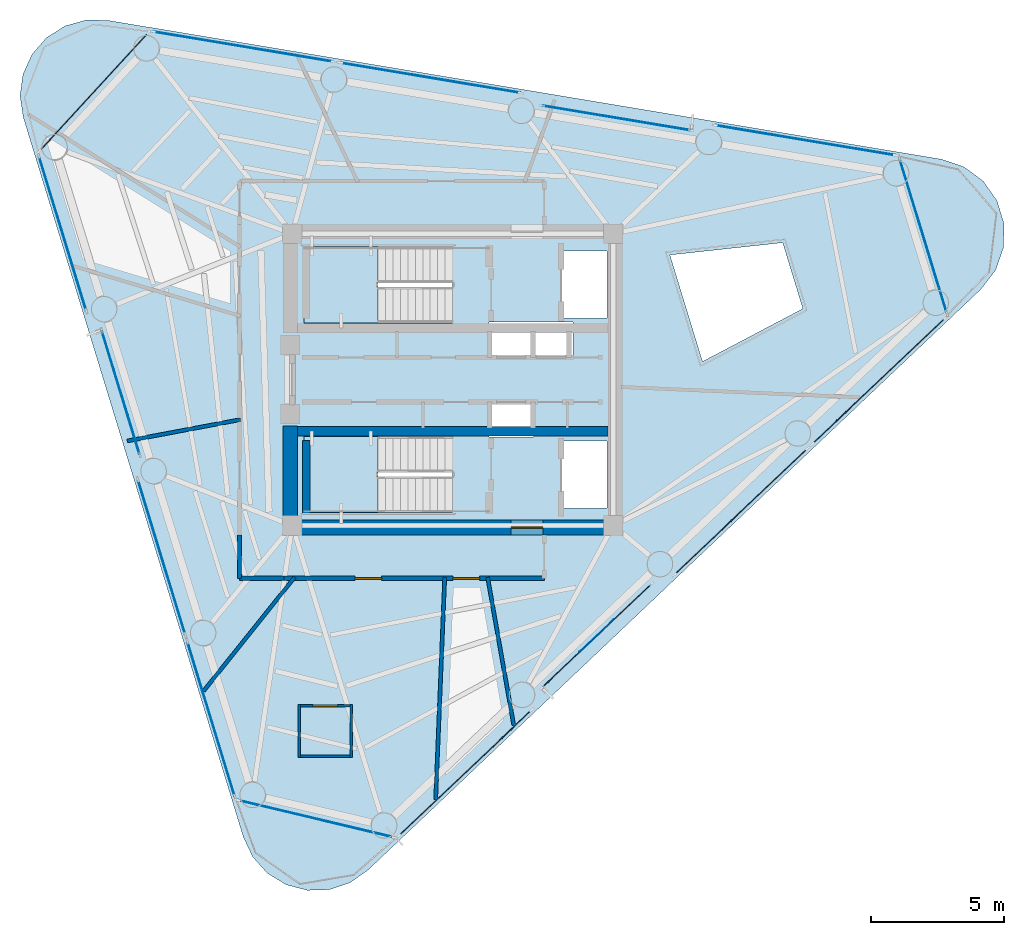
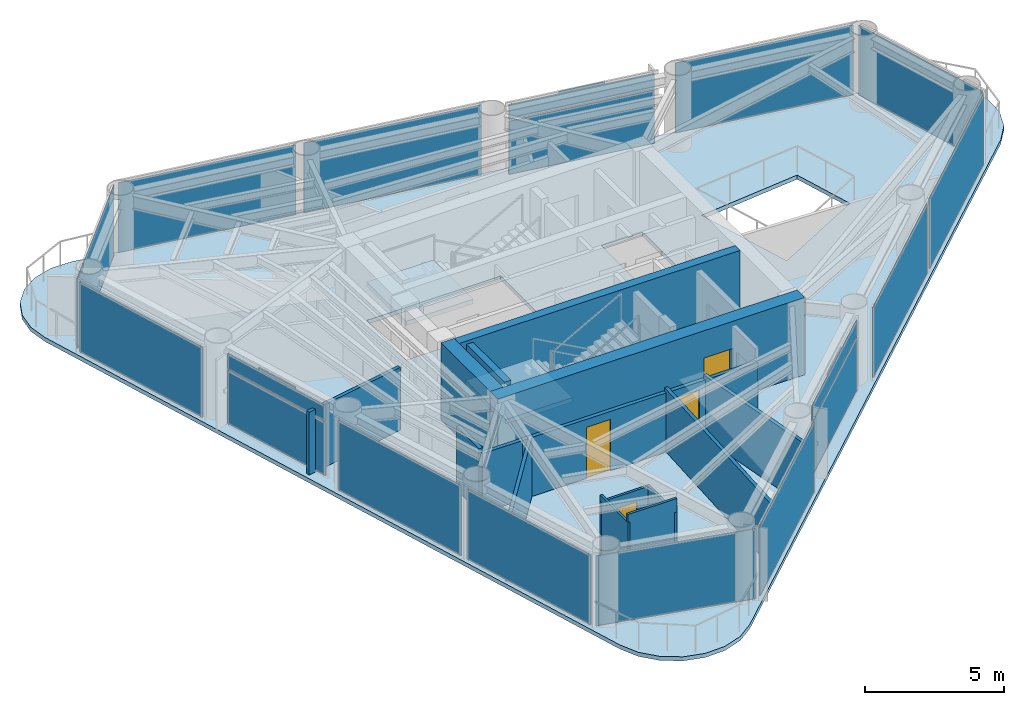
# One storey, part 4 of 9: 21 plates, 15 walls, 4 doors, 3 slabs, 4 openings, 17 elements without a shape of their own.
"""IFC4 building model written with IfcOpenShell, lengths in metres."""

from ifc_helpers import new_model, si_unit, direction, frame, frame_2d, origin, origin_2d, place, context, subcontext, project, spatial, polyline, rectangle, outline, extrude, source, transform, mapped, material, layer, layer_set, type_object, element, fill, aggregate, save


model = new_model("IFC4")

# Units and contexts
model_context = context("Model", 3, precision=1e-05, world=origin(), true_north=direction((0.0, 1.0)))
body_context = subcontext(model_context, "Body", "Model", "MODEL_VIEW")
ifc_project = project(units=[si_unit("LENGTHUNIT", "METRE"), si_unit("AREAUNIT", "SQUARE_METRE"), si_unit("VOLUMEUNIT", "CUBIC_METRE"), si_unit("PLANEANGLEUNIT", "RADIAN"), si_unit("MASSUNIT", "GRAM", prefix="KILO")], contexts=[model_context])

# Site, building, storey
site_placement = place(None, origin())
site = spatial("IfcSite", under=ifc_project, at=site_placement, CompositionType="ELEMENT")
building_placement = place(site_placement, origin())
building = spatial("IfcBuilding", under=site, at=building_placement, Name="Yunling Apex Tower", CompositionType="ELEMENT")
storey_placement = place(building_placement, frame((0.0, 0.0, 245.64990234375)))
storey = spatial("IfcBuildingStorey", under=building, at=storey_placement, Name="L60", CompositionType="ELEMENT", Elevation=245.64990234375)

# Slab
ifc_material_1 = material(Name="Concrete C40", Category="concrete")
ifc_layer_1 = layer(ifc_material_1, 0.155029296875)
ifc_layer_set_1 = layer_set([ifc_layer_1], Name="Concrete C40")
slab_type_1 = type_object("IfcSlabType", Name="SL-FLR-3", PredefinedType="FLOOR", material=ifc_layer_set_1)
slab_1_placement = place(storey_placement, frame((0.0, 0.0, -0.179931640625)))
element("IfcSlab", 1, at=slab_1_placement, inside=storey, type_object=slab_type_1, Name="L60 Composite Tower Floor Slab", PredefinedType="FLOOR", context=body_context, shape_type="SweptSolid", body=[
    extrude(outline(polyline([(-7.894287109375, -17.243408203125), (-7.54052734375, -17.991455078125), (-6.9873046875, -18.60693359375), (-6.281005859375, -19.0380859375), (-5.480712890625, -19.249267578125), (-4.65380859375, -19.22216796875), (-3.868896484375, -18.959716796875), (-3.192138671875, -18.483154296875), (19.91064453125, 3.409912109375), (20.459716796875, 4.126220703125), (20.7578125, 4.977783203125), (20.776123046875, 5.880126953125), (20.51220703125, 6.7431640625), (19.99267578125, 7.48095703125), (19.26904296875, 8.02001953125), (18.41357421875, 8.306884765625), (-12.982177734375, 13.538330078125), (-13.8095703125, 13.5546875), (-14.60693359375, 13.33349609375), (-15.307861328125, 12.8935546875), (-15.853271484375, 12.27099609375), (-16.197509765625, 11.5185546875), (-16.31201171875, 10.698974609375), (-16.187255859375, 9.881103515625), (-7.894287109375, -17.243408203125)]), holes=[polyline([(8.18408203125, 4.697998046875), (12.434326171875, 5.160888671875), (13.194580078125, 2.674560546875), (9.412109375, 0.681640625), (8.18408203125, 4.697998046875)]), polyline([(4.090087890625, -2.320068359375), (5.81005859375, -2.320068359375), (5.81005859375, -4.840087890625), (4.090087890625, -4.840087890625), (4.090087890625, -2.320068359375)]), polyline([(4.090087890625, 4.840087890625), (5.81005859375, 4.840087890625), (5.81005859375, 2.320068359375), (4.090087890625, 2.320068359375), (4.090087890625, 4.840087890625)]), polyline([(1.364990234375, 0.794921875), (1.364990234375, 2.1650390625), (4.534912109375, 2.1650390625), (4.534912109375, 0.794921875), (1.364990234375, 0.794921875)]), polyline([(1.364990234375, -0.794921875), (3.034912109375, -0.794921875), (3.034912109375, -2.1650390625), (1.364990234375, -2.1650390625), (1.364990234375, -0.794921875)]), polyline([(-0.010009765625, -5.010009765625), (-5.60009765625, -5.010009765625), (-5.60009765625, -2.139892578125), (-0.010009765625, -2.139892578125), (-0.010009765625, -5.010009765625)]), polyline([(-0.010009765625, 2.139892578125), (-5.60009765625, 2.139892578125), (-5.60009765625, 5.010009765625), (-0.010009765625, 5.010009765625), (-0.010009765625, 2.139892578125)])]), origin(), (0.0, 0.0, 1.0), 0.179931640625),
])

# Stair, slab
stair_type = type_object("IfcStairType", Name="ST-TWR-3", PredefinedType="HALF_TURN_STAIR", material=ifc_material_1)
stair_1_placement = place(storey_placement, origin())
stair_1 = element("IfcStair", 2, at=stair_1_placement, inside=storey, type_object=stair_type, Name="L60 North Core Smokeproof Exit Stair ST-1", PredefinedType="HALF_TURN_STAIR")
ifc_layer_2 = layer(ifc_material_1, 0.195068359375)
ifc_layer_set_2 = layer_set([ifc_layer_2], Name="Concrete C40")
slab_type_2 = type_object("IfcSlabType", Name="SL-LND-1", PredefinedType="LANDING", material=ifc_layer_set_2)
slab_2_placement = place(storey_placement, frame((0.0, 0.0, 1.505126953125)))
slab_2 = element("IfcSlab", 3, at=slab_2_placement, type_object=slab_type_2, Name="ST-1 landing 1", PredefinedType="LANDING", context=body_context, shape_type="SweptSolid", body=[
    extrude(outline(polyline([(-2.81005859375, 5.010009765625), (-5.60009765625, 5.010009765625), (-5.60009765625, 2.139892578125), (-2.81005859375, 2.139892578125), (-2.81005859375, 5.010009765625)])), origin(), (0.0, 0.0, 1.0), 0.195068359375),
])
aggregate(stair_1, [slab_2])

stair_2_placement = place(storey_placement, origin())
stair_2 = element("IfcStair", 4, at=stair_2_placement, inside=storey, type_object=stair_type, Name="L60 South Core Smokeproof Exit Stair ST-2", PredefinedType="HALF_TURN_STAIR")
slab_3_placement = place(storey_placement, frame((0.0, 0.0, 1.505126953125)))
slab_3 = element("IfcSlab", 5, at=slab_3_placement, type_object=slab_type_2, Name="ST-2 landing 1", PredefinedType="LANDING", context=body_context, shape_type="SweptSolid", body=[
    extrude(outline(polyline([(-2.81005859375, -2.139892578125), (-5.60009765625, -2.139892578125), (-5.60009765625, -5.010009765625), (-2.81005859375, -5.010009765625), (-2.81005859375, -2.139892578125)])), origin(), (0.0, 0.0, 1.0), 0.195068359375),
])
aggregate(stair_2, [slab_3])

# Plates
ifc_material_2 = material(Name="Bronze anodised aluminium", Category="aluminium")
ifc_layer_3 = layer(ifc_material_2, 0.011962890625)
ifc_layer_set_3 = layer_set([ifc_layer_3], Name="Bronze anodised aluminium")
plate_type_1 = type_object("IfcPlateType", Name="SP-SHT-1", PredefinedType="SHEET", material=ifc_layer_set_3)
shared_shape_1 = source(origin(), body_context, "Body", "SweptSolid", [
    extrude(rectangle(XDim=1.800048828125, YDim=0.02392578125, at=origin_2d()), origin(), (0.0, 0.0, 1.0), 0.43994140625),
])
for number, where, z_axis, x_axis, name in (
    (6, (5.429931640625, -9.651123046875, 2.820068359375), (0.0, 0.0, 1.0), (0.725854756355, 0.687848001144, 0.0), "SP-GRV-L60-F1"),
    (7, (6.168701171875, 9.860595703125, 2.820068359375), (0.0, 0.0, 1.0), (-0.986400586142, 0.164359008451, 0.0), "SP-GRV-L60-F2"),
    (8, (-12.5146484375, -0.489501953125, 2.820068359375), (0.0, 0.0, 1.0), (0.292371704723, -0.956304755963, 0.0), "SP-GRV-L60-F3"),
):
    element("IfcPlate", number, at=place(storey_placement, frame(where, z_axis=z_axis, x_axis=x_axis)), inside=storey, type_object=plate_type_1, Name=name, PredefinedType="SHEET", context=body_context, shape_type="MappedRepresentation", body=[
        mapped(shared_shape_1, transform((0.0, 0.0, 0.0), scale=1.0)),
    ])

# Curtain wall, plate
ifc_layer_4 = layer(ifc_material_2, 0.219970703125)
ifc_layer_set_4 = layer_set([ifc_layer_4], Name="Bronze anodised aluminium")
curtain_wall_type = type_object("IfcCurtainWallType", Name="CW-SYS-4", PredefinedType="NOTDEFINED", material=ifc_layer_set_4)
curtain_wall_1_placement = place(storey_placement, origin())
curtain_wall_1 = element("IfcCurtainWall", 9, at=curtain_wall_1_placement, inside=storey, type_object=curtain_wall_type, Name="CW-L60-F1-B2", PredefinedType="NOTDEFINED")
ifc_material_3 = material(Name="Bronze tinted low-E glass", Category="glass")
ifc_layer_5 = layer(ifc_material_3, 0.030029296875)
ifc_layer_set_5 = layer_set([ifc_layer_5], Name="Bronze tinted low-E glass")
plate_type_2 = type_object("IfcPlateType", Name="CW-PNL-4", PredefinedType="CURTAIN_PANEL", material=ifc_layer_set_5)
shared_shape_2 = source(origin(), body_context, "Body", "SweptSolid", [
    extrude(rectangle(XDim=5.617431640625, YDim=0.030029296875, at=origin_2d()), origin(), (0.0, 0.0, 1.0), 2.34326171875),
])
plate_1_placement = place(storey_placement, frame((5.429931640625, -9.651123046875, 0.072021484375), z_axis=(0.0, 0.0, 1.0), x_axis=(0.725848686167, 0.687854406681, 0.0)))
plate_1 = element("IfcPlate", 10, at=plate_1_placement, type_object=plate_type_2, Name="CW-SYS-4 panel 1.1", PredefinedType="CURTAIN_PANEL", context=body_context, shape_type="MappedRepresentation", body=[
    mapped(shared_shape_2, transform((0.0, 0.0, 0.0), scale=1.0)),
])

curtain_wall_2_placement = place(storey_placement, origin())
curtain_wall_2 = element("IfcCurtainWall", 11, at=curtain_wall_2_placement, inside=storey, type_object=curtain_wall_type, Name="CW-L60-F2-B2", PredefinedType="NOTDEFINED")
plate_2_placement = place(storey_placement, frame((6.168701171875, 9.860595703125, 0.072021484375), z_axis=(0.0, 0.0, 1.0), x_axis=(-0.986398614513, 0.164370840747, 0.0)))
plate_2 = element("IfcPlate", 12, at=plate_2_placement, type_object=plate_type_2, Name="CW-SYS-4 panel 1.1", PredefinedType="CURTAIN_PANEL", context=body_context, shape_type="MappedRepresentation", body=[
    mapped(shared_shape_2, transform((0.0, 0.0, 0.0), scale=1.0)),
])

# Plate
shared_shape_3 = source(origin(), body_context, "Body", "SweptSolid", [
    extrude(rectangle(XDim=5.617431640625, YDim=0.030029296875, at=origin_2d()), origin(), (0.0, 0.0, 1.0), 0.668701171875),
])
plate_3_placement = place(storey_placement, frame((5.429931640625, -9.651123046875, 2.4794921875), z_axis=(0.0, 0.0, 1.0), x_axis=(0.725848686167, 0.687854406681, 0.0)))
plate_3 = element("IfcPlate", 13, at=plate_3_placement, type_object=plate_type_2, Name="CW-SYS-4 panel 1.2", PredefinedType="CURTAIN_PANEL", context=body_context, shape_type="MappedRepresentation", body=[
    mapped(shared_shape_3, transform((0.0, 0.0, 0.0), scale=1.0)),
])

aggregate(curtain_wall_1, [plate_1, plate_3])

plate_4_placement = place(storey_placement, frame((6.168701171875, 9.860595703125, 2.4794921875), z_axis=(0.0, 0.0, 1.0), x_axis=(-0.986398614513, 0.164370840747, 0.0)))
plate_4 = element("IfcPlate", 14, at=plate_4_placement, type_object=plate_type_2, Name="CW-SYS-4 panel 1.2", PredefinedType="CURTAIN_PANEL", context=body_context, shape_type="MappedRepresentation", body=[
    mapped(shared_shape_3, transform((0.0, 0.0, 0.0), scale=1.0)),
])

aggregate(curtain_wall_2, [plate_2, plate_4])

# Curtain wall, plate
curtain_wall_3_placement = place(storey_placement, origin())
curtain_wall_3 = element("IfcCurtainWall", 15, at=curtain_wall_3_placement, inside=storey, type_object=curtain_wall_type, Name="CW-L60-F1-B1", PredefinedType="NOTDEFINED")
shared_shape_4 = source(origin(), body_context, "Body", "SweptSolid", [
    extrude(rectangle(XDim=6.857421875, YDim=0.030029296875, at=origin_2d()), origin(), (0.0, 0.0, 1.0), 3.075927734375),
])
plate_5_placement = place(storey_placement, frame((0.4658203125, -14.823974609375, 0.072265625), z_axis=(0.0, 0.0, 1.0), x_axis=(0.72585471909, 0.687848040467, 0.0)))
plate_5 = element("IfcPlate", 16, at=plate_5_placement, type_object=plate_type_2, Name="CW-SYS-4 panel 1.1", PredefinedType="CURTAIN_PANEL", context=body_context, shape_type="MappedRepresentation", body=[
    mapped(shared_shape_4, transform((0.0, 0.0, 0.0), scale=1.0)),
])
aggregate(curtain_wall_3, [plate_5])

curtain_wall_4_placement = place(storey_placement, origin())
curtain_wall_4 = element("IfcCurtainWall", 17, at=curtain_wall_4_placement, inside=storey, type_object=curtain_wall_type, Name="CW-L60-F1-B3", PredefinedType="NOTDEFINED")
plate_6_placement = place(storey_placement, frame((10.862060546875, -4.97216796875, 0.072265625), z_axis=(0.0, 0.0, 1.0), x_axis=(0.72585471909, 0.687848040467, 0.0)))
plate_6 = element("IfcPlate", 18, at=plate_6_placement, type_object=plate_type_2, Name="CW-SYS-4 panel 1.1", PredefinedType="CURTAIN_PANEL", context=body_context, shape_type="MappedRepresentation", body=[
    mapped(shared_shape_4, transform((0.0, 0.0, 0.0), scale=1.0)),
])
aggregate(curtain_wall_4, [plate_6])

curtain_wall_5_placement = place(storey_placement, origin())
curtain_wall_5 = element("IfcCurtainWall", 19, at=curtain_wall_5_placement, inside=storey, type_object=curtain_wall_type, Name="CW-L60-F1-B4", PredefinedType="NOTDEFINED")
plate_7_placement = place(storey_placement, frame((16.060302734375, -0.046142578125, 0.072265625), z_axis=(0.0, 0.0, 1.0), x_axis=(0.72585471909, 0.687848040467, 0.0)))
plate_7 = element("IfcPlate", 20, at=plate_7_placement, type_object=plate_type_2, Name="CW-SYS-4 panel 1.1", PredefinedType="CURTAIN_PANEL", context=body_context, shape_type="MappedRepresentation", body=[
    mapped(shared_shape_4, transform((0.0, 0.0, 0.0), scale=1.0)),
])
aggregate(curtain_wall_5, [plate_7])

curtain_wall_6_placement = place(storey_placement, origin())
curtain_wall_6 = element("IfcCurtainWall", 21, at=curtain_wall_6_placement, inside=storey, type_object=curtain_wall_type, Name="CW-L60-F2-B1", PredefinedType="NOTDEFINED")
plate_8_placement = place(storey_placement, frame((13.288818359375, 9.01904296875, 0.072265625), z_axis=(0.0, 0.0, 1.0), x_axis=(-0.9864016432, 0.164352664392, 0.0)))
plate_8 = element("IfcPlate", 22, at=plate_8_placement, type_object=plate_type_2, Name="CW-SYS-4 panel 1.1", PredefinedType="CURTAIN_PANEL", context=body_context, shape_type="MappedRepresentation", body=[
    mapped(shared_shape_4, transform((0.0, 0.0, 0.0), scale=1.0)),
])
aggregate(curtain_wall_6, [plate_8])

curtain_wall_7_placement = place(storey_placement, origin())
curtain_wall_7 = element("IfcCurtainWall", 23, at=curtain_wall_7_placement, inside=storey, type_object=curtain_wall_type, Name="CW-L60-F2-B3", PredefinedType="NOTDEFINED")
plate_9_placement = place(storey_placement, frame((-0.83935546875, 11.373046875, 0.072265625), z_axis=(0.0, 0.0, 1.0), x_axis=(-0.9864016432, 0.164352664392, 0.0)))
plate_9 = element("IfcPlate", 24, at=plate_9_placement, type_object=plate_type_2, Name="CW-SYS-4 panel 1.1", PredefinedType="CURTAIN_PANEL", context=body_context, shape_type="MappedRepresentation", body=[
    mapped(shared_shape_4, transform((0.0, 0.0, 0.0), scale=1.0)),
])
aggregate(curtain_wall_7, [plate_9])

curtain_wall_8_placement = place(storey_placement, origin())
curtain_wall_8 = element("IfcCurtainWall", 25, at=curtain_wall_8_placement, inside=storey, type_object=curtain_wall_type, Name="CW-L60-F2-B4", PredefinedType="NOTDEFINED")
plate_10_placement = place(storey_placement, frame((-7.9033203125, 12.550048828125, 0.072265625), z_axis=(0.0, 0.0, 1.0), x_axis=(-0.9864016432, 0.164352664392, 0.0)))
plate_10 = element("IfcPlate", 26, at=plate_10_placement, type_object=plate_type_2, Name="CW-SYS-4 panel 1.1", PredefinedType="CURTAIN_PANEL", context=body_context, shape_type="MappedRepresentation", body=[
    mapped(shared_shape_4, transform((0.0, 0.0, 0.0), scale=1.0)),
])
aggregate(curtain_wall_8, [plate_10])

curtain_wall_9_placement = place(storey_placement, origin())
curtain_wall_9 = element("IfcCurtainWall", 27, at=curtain_wall_9_placement, inside=storey, type_object=curtain_wall_type, Name="CW-L60-CRN1", PredefinedType="NOTDEFINED")
shared_shape_5 = source(origin(), body_context, "Body", "SweptSolid", [
    extrude(rectangle(XDim=6.108642578125, YDim=0.030029296875, at=origin_2d()), origin(), (0.0, 0.0, 1.0), 3.075927734375),
])
plate_11_placement = place(storey_placement, frame((17.7314453125, 5.421142578125, 0.072265625), z_axis=(0.0, 0.0, 1.0), x_axis=(-0.292369275379, 0.956305498685, 0.0)))
plate_11 = element("IfcPlate", 28, at=plate_11_placement, type_object=plate_type_2, Name="CW-SYS-4 panel 1.1", PredefinedType="CURTAIN_PANEL", context=body_context, shape_type="MappedRepresentation", body=[
    mapped(shared_shape_5, transform((0.0, 0.0, 0.0), scale=1.0)),
])
aggregate(curtain_wall_9, [plate_11])

curtain_wall_10_placement = place(storey_placement, origin())
curtain_wall_10 = element("IfcCurtainWall", 29, at=curtain_wall_10_placement, inside=storey, type_object=curtain_wall_type, Name="CW-L60-CRN2", PredefinedType="NOTDEFINED")
shared_shape_6 = source(origin(), body_context, "Body", "SweptSolid", [
    extrude(rectangle(XDim=6.033203125, YDim=0.030029296875, at=origin_2d()), origin(), (0.0, 0.0, 1.0), 3.075927734375),
])
plate_12_placement = place(storey_placement, frame((-13.529052734375, 10.84521484375, 0.072265625), z_axis=(0.0, 0.0, 1.0), x_axis=(-0.676835909266, -0.736133922549, 0.0)))
plate_12 = element("IfcPlate", 30, at=plate_12_placement, type_object=plate_type_2, Name="CW-SYS-4 panel 1.1", PredefinedType="CURTAIN_PANEL", context=body_context, shape_type="MappedRepresentation", body=[
    mapped(shared_shape_6, transform((0.0, 0.0, 0.0), scale=1.0)),
])
aggregate(curtain_wall_10, [plate_12])

curtain_wall_11_placement = place(storey_placement, origin())
curtain_wall_11 = element("IfcCurtainWall", 31, at=curtain_wall_11_placement, inside=storey, type_object=curtain_wall_type, Name="CW-L60-F3-B1", PredefinedType="NOTDEFINED")
shared_shape_7 = source(origin(), body_context, "Body", "SweptSolid", [
    extrude(rectangle(XDim=6.077880859375, YDim=0.030029296875, at=origin_2d()), origin(), (0.0, 0.0, 1.0), 3.075927734375),
])
plate_13_placement = place(storey_placement, frame((-14.705810546875, 5.51416015625, 0.072265625), z_axis=(0.0, 0.0, 1.0), x_axis=(0.29237206414, -0.956304646078, 0.0)))
plate_13 = element("IfcPlate", 32, at=plate_13_placement, type_object=plate_type_2, Name="CW-SYS-4 panel 1.1", PredefinedType="CURTAIN_PANEL", context=body_context, shape_type="MappedRepresentation", body=[
    mapped(shared_shape_7, transform((0.0, 0.0, 0.0), scale=1.0)),
])
aggregate(curtain_wall_11, [plate_13])

curtain_wall_12_placement = place(storey_placement, origin())
curtain_wall_12 = element("IfcCurtainWall", 33, at=curtain_wall_12_placement, inside=storey, type_object=curtain_wall_type, Name="CW-L60-F3-B3", PredefinedType="NOTDEFINED")
plate_14_placement = place(storey_placement, frame((-10.973876953125, -6.69189453125, 0.072265625), z_axis=(0.0, 0.0, 1.0), x_axis=(0.29237206414, -0.956304646078, 0.0)))
plate_14 = element("IfcPlate", 34, at=plate_14_placement, type_object=plate_type_2, Name="CW-SYS-4 panel 1.1", PredefinedType="CURTAIN_PANEL", context=body_context, shape_type="MappedRepresentation", body=[
    mapped(shared_shape_7, transform((0.0, 0.0, 0.0), scale=1.0)),
])
aggregate(curtain_wall_12, [plate_14])

curtain_wall_13_placement = place(storey_placement, origin())
curtain_wall_13 = element("IfcCurtainWall", 35, at=curtain_wall_13_placement, inside=storey, type_object=curtain_wall_type, Name="CW-L60-F3-B4", PredefinedType="NOTDEFINED")
plate_15_placement = place(storey_placement, frame((-9.108154296875, -12.794921875, 0.072265625), z_axis=(0.0, 0.0, 1.0), x_axis=(0.29237206414, -0.956304646078, 0.0)))
plate_15 = element("IfcPlate", 36, at=plate_15_placement, type_object=plate_type_2, Name="CW-SYS-4 panel 1.1", PredefinedType="CURTAIN_PANEL", context=body_context, shape_type="MappedRepresentation", body=[
    mapped(shared_shape_7, transform((0.0, 0.0, 0.0), scale=1.0)),
])
aggregate(curtain_wall_13, [plate_15])

# Curtain wall, plates
curtain_wall_14_placement = place(storey_placement, origin())
curtain_wall_14 = element("IfcCurtainWall", 37, at=curtain_wall_14_placement, inside=storey, type_object=curtain_wall_type, Name="CW-L60-F3-B2", PredefinedType="NOTDEFINED")
shared_shape_8 = source(origin(), body_context, "Body", "SweptSolid", [
    extrude(rectangle(XDim=4.837890625, YDim=0.030029296875, at=origin_2d()), origin(), (0.0, 0.0, 1.0), 2.34326171875),
])
plate_16_placement = place(storey_placement, frame((-12.5146484375, -0.489501953125, 0.072021484375), z_axis=(0.0, 0.0, 1.0), x_axis=(0.29237304737, -0.956304345474, 0.0)))
plate_16 = element("IfcPlate", 38, at=plate_16_placement, type_object=plate_type_2, Name="CW-SYS-4 panel 1.1", PredefinedType="CURTAIN_PANEL", context=body_context, shape_type="MappedRepresentation", body=[
    mapped(shared_shape_8, transform((0.0, 0.0, 0.0), scale=1.0)),
])
shared_shape_9 = source(origin(), body_context, "Body", "SweptSolid", [
    extrude(rectangle(XDim=4.837890625, YDim=0.030029296875, at=origin_2d()), origin(), (0.0, 0.0, 1.0), 0.668701171875),
])
plate_17_placement = place(storey_placement, frame((-12.5146484375, -0.489501953125, 2.4794921875), z_axis=(0.0, 0.0, 1.0), x_axis=(0.29237304737, -0.956304345474, 0.0)))
plate_17 = element("IfcPlate", 39, at=plate_17_placement, type_object=plate_type_2, Name="CW-SYS-4 panel 1.2", PredefinedType="CURTAIN_PANEL", context=body_context, shape_type="MappedRepresentation", body=[
    mapped(shared_shape_9, transform((0.0, 0.0, 0.0), scale=1.0)),
])
aggregate(curtain_wall_14, [plate_16, plate_17])

# Curtain wall, plate
curtain_wall_15_placement = place(storey_placement, origin())
curtain_wall_15 = element("IfcCurtainWall", 40, at=curtain_wall_15_placement, inside=storey, type_object=curtain_wall_type, Name="CW-L60-CRN3", PredefinedType="NOTDEFINED")
shared_shape_10 = source(origin(), body_context, "Body", "SweptSolid", [
    extrude(rectangle(XDim=6.032958984375, YDim=0.030029296875, at=origin_2d()), origin(), (0.0, 0.0, 1.0), 3.075927734375),
])
plate_18_placement = place(storey_placement, frame((-5.151611328125, -16.556396484375, 0.072265625), z_axis=(0.0, 0.0, 1.0), x_axis=(0.97276120775, -0.231809474992, 0.0)))
plate_18 = element("IfcPlate", 41, at=plate_18_placement, type_object=plate_type_2, Name="CW-SYS-4 panel 1.1", PredefinedType="CURTAIN_PANEL", context=body_context, shape_type="MappedRepresentation", body=[
    mapped(shared_shape_10, transform((0.0, 0.0, 0.0), scale=1.0)),
])
aggregate(curtain_wall_15, [plate_18])

# Wall, opening, door
ifc_layer_6 = layer(ifc_material_1, 0.550048828125)
ifc_layer_set_6 = layer_set([ifc_layer_6], Name="Concrete C40")
wall_type_1 = type_object("IfcWallType", Name="WL-COR-3", PredefinedType="SHEAR", material=ifc_layer_set_6)
wall_1_placement = place(storey_placement, frame((-6.39990234375, -5.574951171875, 0.0), z_axis=(0.0, 0.0, 1.0), x_axis=(1.0, 0.0, 0.0)))
wall_1 = element("IfcWall", 42, at=wall_1_placement, inside=storey, type_object=wall_type_1, Name="L60 South Core Shear Wall", PredefinedType="SHEAR", context=body_context, shape_type="SweptSolid", body=[
    extrude(rectangle(XDim=12.7998046875, YDim=0.550048828125, at=frame_2d((6.39990234375, 0.0))), origin(), (0.0, 0.0, 1.0), 3.400146484375),
])
opening_1_placement = place(wall_1_placement, frame((8.60009765625, 0.0, 0.0)))
opening_1 = element("IfcOpeningElement", 43, at=opening_1_placement, cuts=wall_1, Name="Opening DR-FFL-1", PredefinedType="OPENING", context=body_context, shape_type="SweptSolid", body=[
    extrude(rectangle(XDim=1.199951171875, YDim=2.199951171875, at=frame_2d((0.60009765625, 1.10009765625))), frame((0.0, 0.28515625, 0.0), z_axis=(0.0, -1.0, 0.0), x_axis=(1.0, 0.0, 0.0)), (0.0, 0.0, 1.0), 0.570068359375),
])
ifc_material_4 = material(Name="Steel Q355B", Category="steel")
door_type_1 = type_object("IfcDoorType", Name="DR-FFL-1", OperationType="NOTDEFINED", PredefinedType="DOOR", material=ifc_material_4)
door_1_placement = place(opening_1_placement, origin())
door_1 = element("IfcDoor", 44, at=door_1_placement, inside=storey, type_object=door_type_1, Name="L60 South Firefighting Lobby Door", OperationType="SINGLE_SWING_RIGHT", OverallHeight=2.199951171875, OverallWidth=1.199951171875, PredefinedType="DOOR", context=body_context, shape_type="SweptSolid", body=[
    extrude(rectangle(XDim=1.199951171875, YDim=2.199951171875, at=frame_2d((0.60009765625, 1.10009765625))), frame((0.0, 0.02490234375, 0.0), z_axis=(0.0, -1.0, 0.0), x_axis=(1.0, 0.0, 0.0)), (0.0, 0.0, 1.0), 0.050048828125),
])
fill(opening_1, door_1)

# Walls
wall_2_placement = place(storey_placement, frame((-6.125, -5.300048828125, 0.0), z_axis=(0.0, 0.0, 1.0), x_axis=(0.0, 1.0, 0.0)))
element("IfcWall", 45, at=wall_2_placement, inside=storey, type_object=wall_type_1, Name="L60 West-South Core Shear Wall", PredefinedType="SHEAR", context=body_context, shape_type="SweptSolid", body=[
    extrude(rectangle(XDim=3.550048828125, YDim=0.550048828125, at=frame_2d((1.77490234375, 0.0))), origin(), (0.0, 0.0, 1.0), 3.400146484375),
])
ifc_layer_7 = layer(ifc_material_1, 0.360107421875)
ifc_layer_set_7 = layer_set([ifc_layer_7], Name="Concrete C40")
wall_type_2 = type_object("IfcWallType", Name="WL-COR-4", PredefinedType="SHEAR", material=ifc_layer_set_7)
wall_3_placement = place(storey_placement, frame((-5.85009765625, -1.93994140625, 0.0), z_axis=(0.0, 0.0, 1.0), x_axis=(1.0, 0.0, 0.0)))
element("IfcWall", 46, at=wall_3_placement, inside=storey, type_object=wall_type_2, Name="L60 South Internal Core Shear Wall", PredefinedType="SHEAR", context=body_context, shape_type="SweptSolid", body=[
    extrude(rectangle(XDim=11.7001953125, YDim=0.360107421875, at=frame_2d((5.85009765625, 0.0))), origin(), (0.0, 0.0, 1.0), 3.400146484375),
])
ifc_layer_8 = layer(ifc_material_1, 0.280029296875)
ifc_layer_set_8 = layer_set([ifc_layer_8], Name="Concrete C40")
wall_type_3 = type_object("IfcWallType", Name="WL-COR-8", PredefinedType="SHEAR", material=ifc_layer_set_8)
wall_4_placement = place(storey_placement, frame((-5.52001953125, -5.050048828125, 0.0), z_axis=(0.0, 0.0, 1.0), x_axis=(0.0, 1.0, 0.0)))
element("IfcWall", 47, at=wall_4_placement, inside=storey, type_object=wall_type_3, Name="L60 ST-2 West Landing Bearing Wall", PredefinedType="SHEAR", context=body_context, shape_type="SweptSolid", body=[
    extrude(rectangle(XDim=2.75, YDim=0.280029296875, at=frame_2d((1.375, 0.0))), origin(), (0.0, 0.0, 1.0), 3.400146484375),
])

# Wall, openings, doors
ifc_material_5 = material(Name="Gypsum board acoustic partition")
ifc_layer_9 = layer(ifc_material_5, 0.159912109375)
ifc_layer_set_9 = layer_set([ifc_layer_9], Name="Gypsum board acoustic partition")
wall_type_4 = type_object("IfcWallType", Name="WL-PRT-1", PredefinedType="PARTITIONING", material=ifc_layer_set_9)
wall_5_placement = place(storey_placement, frame((3.449951171875, -7.489990234375, 0.0), z_axis=(0.0, 0.0, 1.0), x_axis=(-1.0, 0.0, 0.0)))
wall_5 = element("IfcWall", 48, at=wall_5_placement, inside=storey, type_object=wall_type_4, Name="WL-CORR-L60-06", PredefinedType="PARTITIONING", context=body_context, shape_type="SweptSolid", body=[
    extrude(rectangle(XDim=9.81005859375, YDim=0.159912109375, at=frame_2d((4.905029296875, 0.0))), origin(), (0.0, 0.0, 1.0), 2.60498046875),
])
opening_2_placement = place(wall_5_placement, frame((2.437255859375, 0.0, 0.0)))
opening_2 = element("IfcOpeningElement", 49, at=opening_2_placement, cuts=wall_5, Name="Opening DR-OFF-1", PredefinedType="OPENING", context=body_context, shape_type="SweptSolid", body=[
    extrude(rectangle(XDim=1.0, YDim=2.25, at=frame_2d((0.5, 1.125))), frame((0.0, 0.08984375, 0.0), z_axis=(0.0, -1.0, 0.0), x_axis=(1.0, 0.0, 0.0)), (0.0, 0.0, 1.0), 0.179931640625),
])
opening_3_placement = place(wall_5_placement, frame((6.135009765625, 0.0, 0.0)))
opening_3 = element("IfcOpeningElement", 50, at=opening_3_placement, cuts=wall_5, Name="Opening DR-OFF-1", PredefinedType="OPENING", context=body_context, shape_type="SweptSolid", body=[
    extrude(rectangle(XDim=1.0, YDim=2.25, at=frame_2d((0.5, 1.125))), frame((0.0, 0.08984375, 0.0), z_axis=(0.0, -1.0, 0.0), x_axis=(1.0, 0.0, 0.0)), (0.0, 0.0, 1.0), 0.179931640625),
])
door_type_2 = type_object("IfcDoorType", Name="DR-OFF-1", OperationType="NOTDEFINED", PredefinedType="DOOR", material=ifc_material_2)
door_2_placement = place(opening_2_placement, origin())
door_2 = element("IfcDoor", 51, at=door_2_placement, inside=storey, type_object=door_type_2, Name="L60 Residents Quiet Study Lounge Door", OperationType="SINGLE_SWING_LEFT", OverallHeight=2.25, OverallWidth=1.0, PredefinedType="DOOR", context=body_context, shape_type="SweptSolid", body=[
    extrude(rectangle(XDim=1.0, YDim=2.25, at=frame_2d((0.5, 1.125))), frame((0.0, 0.02490234375, 0.0), z_axis=(0.0, -1.0, 0.0), x_axis=(1.0, 0.0, 0.0)), (0.0, 0.0, 1.0), 0.050048828125),
])
fill(opening_2, door_2)
door_3_placement = place(opening_3_placement, origin())
door_3 = element("IfcDoor", 52, at=door_3_placement, inside=storey, type_object=door_type_2, Name="L60 Concierge Reception Foyer Door", OperationType="SINGLE_SWING_RIGHT", OverallHeight=2.25, OverallWidth=1.0, PredefinedType="DOOR", context=body_context, shape_type="SweptSolid", body=[
    extrude(rectangle(XDim=1.0, YDim=2.25, at=frame_2d((0.5, 1.125))), frame((0.0, 0.02490234375, 0.0), z_axis=(0.0, -1.0, 0.0), x_axis=(1.0, 0.0, 0.0)), (0.0, 0.0, 1.0), 0.050048828125),
])
fill(opening_3, door_3)

# Walls
wall_6_placement = place(storey_placement, frame((-6.360107421875, -7.489990234375, 0.0), z_axis=(0.0, 0.0, 1.0), x_axis=(-1.0, 0.0, 0.0)))
element("IfcWall", 53, at=wall_6_placement, inside=storey, type_object=wall_type_4, Name="WL-CORR-L60-07", PredefinedType="PARTITIONING", context=body_context, shape_type="SweptSolid", body=[
    extrude(rectangle(XDim=1.679931640625, YDim=0.159912109375, at=frame_2d((0.83984375, 0.0))), origin(), (0.0, 0.0, 1.0), 2.60498046875),
])
wall_7_placement = place(storey_placement, frame((-8.0400390625, -7.489990234375, 0.0), z_axis=(0.0, 0.0, 1.0), x_axis=(0.0, 1.0, 0.0)))
element("IfcWall", 54, at=wall_7_placement, inside=storey, type_object=wall_type_4, Name="WL-CORR-L60-08", PredefinedType="PARTITIONING", context=body_context, shape_type="SweptSolid", body=[
    extrude(rectangle(XDim=1.639892578125, YDim=0.159912109375, at=frame_2d((0.81982421875, 0.0))), origin(), (0.0, 0.0, 1.0), 2.80517578125),
])
ifc_layer_10 = layer(ifc_material_5, 0.139892578125)
ifc_layer_set_10 = layer_set([ifc_layer_10], Name="Gypsum board acoustic partition")
wall_type_5 = type_object("IfcWallType", Name="WL-PRT-2", PredefinedType="PARTITIONING", material=ifc_layer_set_10)
wall_8_placement = place(storey_placement, frame((-8.0, -1.5068359375, 0.0), z_axis=(0.0, 0.0, 1.0), x_axis=(-0.982724350189, -0.185075259138, 0.0)))
element("IfcWall", 55, at=wall_8_placement, inside=storey, type_object=wall_type_5, Name="WL-RAD-L60-06", PredefinedType="PARTITIONING", context=body_context, shape_type="SweptSolid", body=[
    extrude(rectangle(XDim=4.3466796875, YDim=0.139892578125, at=frame_2d((2.17333984375, 0.0))), origin(), (0.0, 0.0, 1.0), 2.76513671875),
])
wall_9_placement = place(storey_placement, frame((-5.96142578125, -7.449951171875, 0.0), z_axis=(0.0, 0.0, 1.0), x_axis=(-0.624787267525, -0.780795024535, 0.0)))
element("IfcWall", 56, at=wall_9_placement, inside=storey, type_object=wall_type_5, Name="WL-RAD-L60-07", PredefinedType="PARTITIONING", context=body_context, shape_type="SweptSolid", body=[
    extrude(rectangle(XDim=5.48828125, YDim=0.139892578125, at=frame_2d((2.744140625, 0.0))), origin(), (0.0, 0.0, 1.0), 2.60498046875),
])
wall_10_placement = place(storey_placement, frame((-0.3037109375, -7.449951171875, 0.0), z_axis=(0.0, 0.0, 1.0), x_axis=(-0.04070934235, -0.999171031128, 0.0)))
element("IfcWall", 57, at=wall_10_placement, inside=storey, type_object=wall_type_5, Name="WL-RAD-L60-08", PredefinedType="PARTITIONING", context=body_context, shape_type="SweptSolid", body=[
    extrude(rectangle(XDim=8.3779296875, YDim=0.139892578125, at=frame_2d((4.18896484375, 0.0))), origin(), (0.0, 0.0, 1.0), 2.76513671875),
])
wall_11_placement = place(storey_placement, frame((1.313720703125, -7.449951171875, 0.0), z_axis=(0.0, 0.0, 1.0), x_axis=(0.173652657872, -0.984806963021, 0.0)))
element("IfcWall", 58, at=wall_11_placement, inside=storey, type_object=wall_type_5, Name="WL-RAD-L60-09", PredefinedType="PARTITIONING", context=body_context, shape_type="SweptSolid", body=[
    extrude(rectangle(XDim=5.668701171875, YDim=0.139892578125, at=frame_2d((2.83447265625, 0.0))), origin(), (0.0, 0.0, 1.0), 2.76513671875),
])

# Wall, opening, door
ifc_layer_11 = layer(ifc_material_5, 0.10009765625)
ifc_layer_set_11 = layer_set([ifc_layer_11], Name="Gypsum board acoustic partition")
wall_type_6 = type_object("IfcWallType", Name="WL-PRT-4", PredefinedType="PARTITIONING", material=ifc_layer_set_11)
wall_12_placement = place(storey_placement, frame((-5.8310546875, -12.298095703125, 0.0), z_axis=(0.0, 0.0, 1.0), x_axis=(1.0, 0.0, 0.0)))
wall_12 = element("IfcWall", 59, at=wall_12_placement, inside=storey, type_object=wall_type_6, Name="WL-L60-RWC2N", PredefinedType="PARTITIONING", context=body_context, shape_type="SweptSolid", body=[
    extrude(rectangle(XDim=2.050048828125, YDim=0.10009765625, at=frame_2d((1.02490234375, 0.0))), origin(), (0.0, 0.0, 1.0), 2.60498046875),
])
opening_4_placement = place(wall_12_placement, frame((0.56494140625, 0.0, 0.0)))
opening_4 = element("IfcOpeningElement", 60, at=opening_4_placement, cuts=wall_12, Name="Opening DR-WC-1", PredefinedType="OPENING", context=body_context, shape_type="SweptSolid", body=[
    extrude(rectangle(XDim=0.919921875, YDim=2.10009765625, at=frame_2d((0.4599609375, 1.050048828125))), frame((0.0, 0.06005859375, 0.0), z_axis=(0.0, -1.0, 0.0), x_axis=(1.0, 0.0, 0.0)), (0.0, 0.0, 1.0), 0.1201171875),
])
ifc_material_6 = material(Name="Timber moisture-resistant leaf", Category="wood")
door_type_3 = type_object("IfcDoorType", Name="DR-WC-1", OperationType="NOTDEFINED", PredefinedType="DOOR", material=ifc_material_6)
door_4_placement = place(opening_4_placement, origin())
door_4 = element("IfcDoor", 61, at=door_4_placement, inside=storey, type_object=door_type_3, Name="L60 Accessible WC Door", OperationType="SINGLE_SWING_RIGHT", OverallHeight=2.10009765625, OverallWidth=0.919921875, PredefinedType="DOOR", context=body_context, shape_type="SweptSolid", body=[
    extrude(rectangle(XDim=0.919921875, YDim=2.10009765625, at=frame_2d((0.4599609375, 1.050048828125))), frame((0.0, 0.02490234375, 0.0), z_axis=(0.0, -1.0, 0.0), x_axis=(1.0, 0.0, 0.0)), (0.0, 0.0, 1.0), 0.050048828125),
])
fill(opening_4, door_4)

# Walls
wall_13_placement = place(storey_placement, frame((-3.781005859375, -14.197998046875, 0.0), z_axis=(0.0, 0.0, 1.0), x_axis=(-1.0, 0.0, 0.0)))
element("IfcWall", 62, at=wall_13_placement, inside=storey, type_object=wall_type_6, Name="WL-L60-RWC2S", PredefinedType="PARTITIONING", context=body_context, shape_type="SweptSolid", body=[
    extrude(rectangle(XDim=2.050048828125, YDim=0.10009765625, at=frame_2d((1.02490234375, 0.0))), origin(), (0.0, 0.0, 1.0), 3.2001953125),
])
wall_14_placement = place(storey_placement, frame((-3.8310546875, -12.248046875, 0.0), z_axis=(0.0, 0.0, 1.0), x_axis=(0.0, -1.0, 0.0)))
element("IfcWall", 63, at=wall_14_placement, inside=storey, type_object=wall_type_6, Name="WL-L60-RWC2E", PredefinedType="PARTITIONING", context=body_context, shape_type="SweptSolid", body=[
    extrude(rectangle(XDim=2.0, YDim=0.10009765625, at=frame_2d((1.0, 0.0))), origin(), (0.0, 0.0, 1.0), 2.60498046875),
])
wall_15_placement = place(storey_placement, frame((-5.781005859375, -14.248046875, 0.0), z_axis=(0.0, 0.0, 1.0), x_axis=(0.0, 1.0, 0.0)))
element("IfcWall", 64, at=wall_15_placement, inside=storey, type_object=wall_type_6, Name="WL-L60-RWC2W", PredefinedType="PARTITIONING", context=body_context, shape_type="SweptSolid", body=[
    extrude(rectangle(XDim=2.0, YDim=0.10009765625, at=frame_2d((1.0, 0.0))), origin(), (0.0, 0.0, 1.0), 2.85498046875),
])

save(model, "model.ifc")
